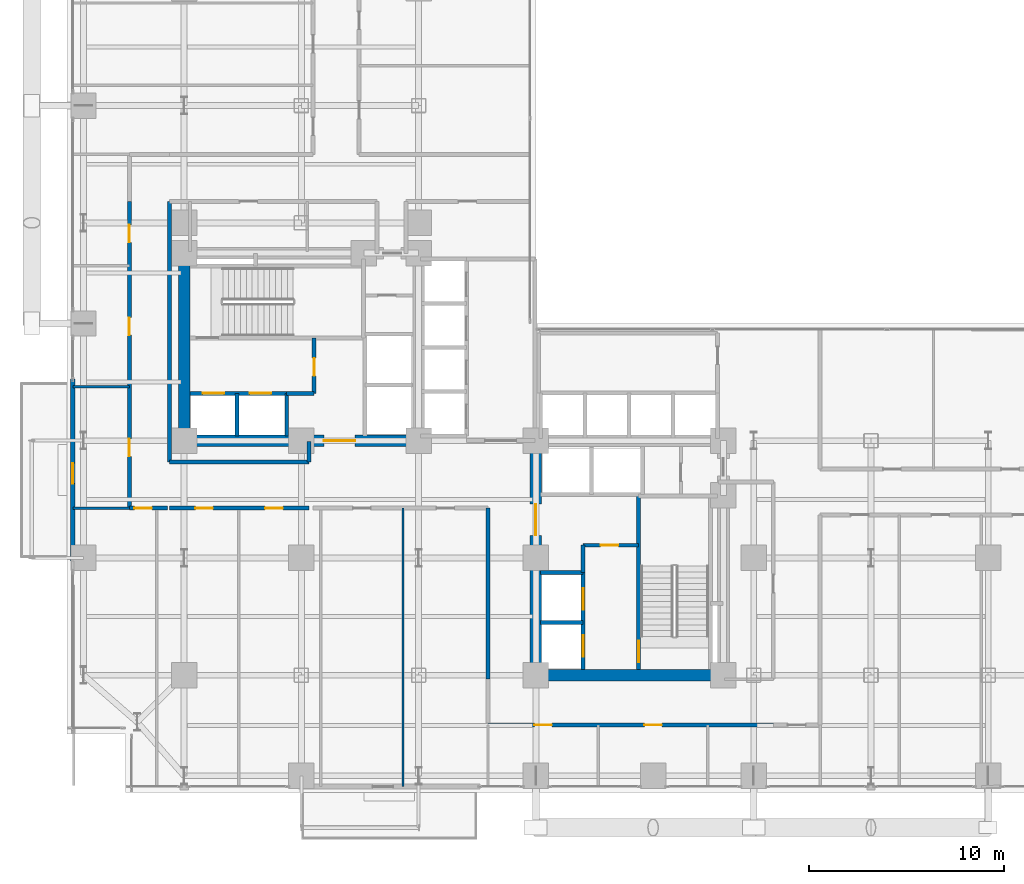
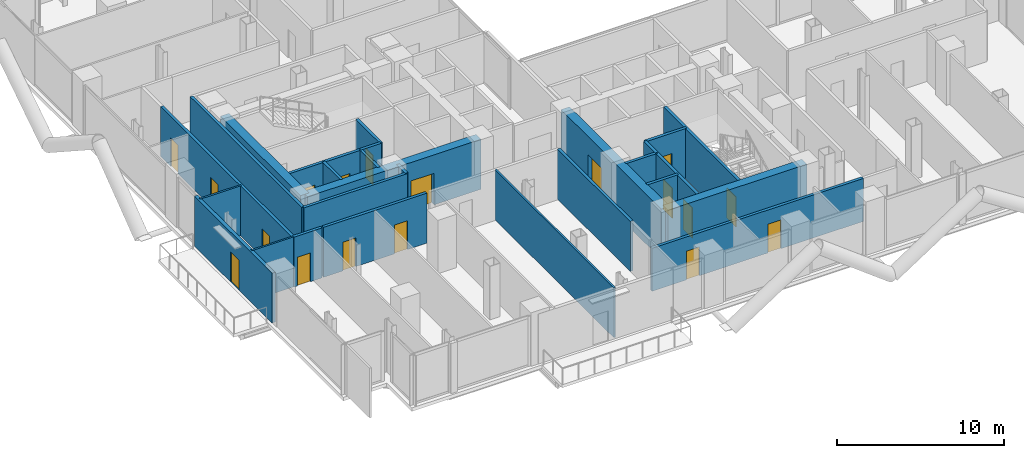
# One storey, part 20 of 25: 27 walls, 18 doors, 18 openings.
"""IFC4 building model written with IfcOpenShell, lengths in metres."""

from ifc_helpers import new_model, si_unit, direction, frame, frame_2d, origin, place, context, subcontext, project, spatial, rectangle, extrude, material, layer, layer_set, type_object, element, fill, save


model = new_model("IFC4")

# Units and contexts
model_context = context("Model", 3, precision=1e-05, world=origin(), true_north=direction((0.0, 1.0)))
body_context = subcontext(model_context, "Body", "Model", "MODEL_VIEW")
ifc_project = project(units=[si_unit("LENGTHUNIT", "METRE"), si_unit("AREAUNIT", "SQUARE_METRE"), si_unit("VOLUMEUNIT", "CUBIC_METRE"), si_unit("PLANEANGLEUNIT", "RADIAN"), si_unit("MASSUNIT", "GRAM", prefix="KILO"), si_unit("THERMODYNAMICTEMPERATUREUNIT", "KELVIN"), si_unit("POWERUNIT", "WATT")], contexts=[model_context])

# Site, building, storey
site_placement = place(None, origin())
site = spatial("IfcSite", under=ifc_project, at=site_placement, CompositionType="ELEMENT")
building_placement = place(site_placement, origin())
building = spatial("IfcBuilding", under=site, at=building_placement, Name="Svarakhadi Broadcast Tower", CompositionType="ELEMENT")
storey_placement = place(building_placement, frame((0.0, 0.0, 51.89990234375)))
storey = spatial("IfcBuildingStorey", under=building, at=storey_placement, Name="L11", CompositionType="ELEMENT", Elevation=51.89990234375)

# Wall, openings, doors
ifc_material_1 = material(Name="Double-Stud Acoustic Studio Partition STC-62", Category="gypsum")
ifc_layer_1 = layer(ifc_material_1, 0.199951171875)
ifc_layer_set_1 = layer_set([ifc_layer_1], Name="Double-Stud Acoustic Studio Partition STC-62")
wall_type_1 = type_object("IfcWallType", Name="Wall_Acoust_200", PredefinedType="PARTITIONING", material=ifc_layer_set_1)
wall_1_placement = place(storey_placement, frame((36.14990234375, 3.449951171875, 0.0), z_axis=(0.0, 0.0, 1.0), x_axis=(-1.0, 0.0, 0.0)))
wall_1 = element("IfcWall", 1, at=wall_1_placement, inside=storey, type_object=wall_type_1, Name="L11 Broadcast Corridor Wall", PredefinedType="PARTITIONING", context=body_context, shape_type="SweptSolid", body=[
    extrude(rectangle(XDim=14.599853515625, YDim=0.199951171875, at=frame_2d((7.2998046875, 0.0))), origin(), (0.0, 0.0, 1.0), 3.14208984375),
])
opening_1_placement = place(wall_1_placement, frame((11.324951171875, 0.0, 0.0)))
opening_1 = element("IfcOpeningElement", 2, at=opening_1_placement, cuts=wall_1, Name="Opening D-14", PredefinedType="OPENING", context=body_context, shape_type="SweptSolid", body=[
    extrude(rectangle(XDim=0.89990234375, YDim=2.10009765625, at=frame_2d((0.449951171875, 1.050048828125))), frame((0.0, 0.10986328125, 0.0), z_axis=(0.0, -1.0, 0.0), x_axis=(1.0, 0.0, 0.0)), (0.0, 0.0, 1.0), 0.219970703125),
])
opening_2_placement = place(wall_1_placement, frame((5.699951171875, 0.0, 0.0)))
opening_2 = element("IfcOpeningElement", 3, at=opening_2_placement, cuts=wall_1, Name="Opening D-15", PredefinedType="OPENING", context=body_context, shape_type="SweptSolid", body=[
    extrude(rectangle(XDim=0.89990234375, YDim=2.10009765625, at=frame_2d((0.449951171875, 1.050048828125))), frame((0.0, 0.10986328125, 0.0), z_axis=(0.0, -1.0, 0.0), x_axis=(1.0, 0.0, 0.0)), (0.0, 0.0, 1.0), 0.219970703125),
])
ifc_material_2 = material(Name="Solid-Core Teak Veneer Acoustic Timber Leaf", Category="wood")
door_type_1 = type_object("IfcDoorType", Name="Door_Int_D14", OperationType="SINGLE_SWING_LEFT", PredefinedType="DOOR", material=ifc_material_2)
door_1_placement = place(opening_1_placement, origin())
door_1 = element("IfcDoor", 4, at=door_1_placement, inside=storey, type_object=door_type_1, Name="L11 South Harbour Editorial Desk Door", OperationType="SINGLE_SWING_LEFT", OverallHeight=2.10009765625, OverallWidth=0.89990234375, PredefinedType="DOOR", context=body_context, shape_type="SweptSolid", body=[
    extrude(rectangle(XDim=0.89990234375, YDim=2.10009765625, at=frame_2d((0.449951171875, 1.050048828125))), frame((0.0, 0.02490234375, 0.0), z_axis=(0.0, -1.0, 0.0), x_axis=(1.0, 0.0, 0.0)), (0.0, 0.0, 1.0), 0.050048828125),
])
fill(opening_1, door_1)
door_type_2 = type_object("IfcDoorType", Name="Door_Int_D15", OperationType="SINGLE_SWING_RIGHT", PredefinedType="DOOR", material=ifc_material_2)
door_2_placement = place(opening_2_placement, origin())
door_2 = element("IfcDoor", 5, at=door_2_placement, inside=storey, type_object=door_type_2, Name="L11 Media Legal Review Office Door", OperationType="SINGLE_SWING_RIGHT", OverallHeight=2.10009765625, OverallWidth=0.89990234375, PredefinedType="DOOR", context=body_context, shape_type="SweptSolid", body=[
    extrude(rectangle(XDim=0.89990234375, YDim=2.10009765625, at=frame_2d((0.449951171875, 1.050048828125))), frame((0.0, 0.02490234375, 0.0), z_axis=(0.0, -1.0, 0.0), x_axis=(1.0, 0.0, 0.0)), (0.0, 0.0, 1.0), 0.050048828125),
])
fill(opening_2, door_2)

# Wall
wall_2_placement = place(storey_placement, frame((21.550048828125, 5.800048828125, 0.0), z_axis=(0.0, 0.0, 1.0), x_axis=(0.0, 1.0, 0.0)))
element("IfcWall", 6, at=wall_2_placement, inside=storey, type_object=wall_type_1, Name="L11 Broadcast Corridor Wall", PredefinedType="PARTITIONING", context=body_context, shape_type="SweptSolid", body=[
    extrude(rectangle(XDim=8.75, YDim=0.199951171875, at=frame_2d((4.375, 0.0))), origin(), (0.0, 0.0, 1.0), 3.650146484375),
])

# Wall, openings, doors
wall_3_placement = place(storey_placement, frame((12.39990234375, 14.550048828125, 0.0), z_axis=(0.0, 0.0, 1.0), x_axis=(-1.0, 0.0, 0.0)))
wall_3 = element("IfcWall", 7, at=wall_3_placement, inside=storey, type_object=wall_type_1, Name="L11 Broadcast Corridor Wall", PredefinedType="PARTITIONING", context=body_context, shape_type="SweptSolid", body=[
    extrude(rectangle(XDim=7.14990234375, YDim=0.199951171875, at=frame_2d((3.574951171875, 0.0))), origin(), (0.0, 0.0, 1.0), 3.650146484375),
])
opening_3_placement = place(wall_3_placement, frame((4.925048828125, 0.0, 0.0)))
opening_3 = element("IfcOpeningElement", 8, at=opening_3_placement, cuts=wall_3, Name="Opening D-14", PredefinedType="OPENING", context=body_context, shape_type="SweptSolid", body=[
    extrude(rectangle(XDim=0.89990234375, YDim=2.10009765625, at=frame_2d((0.449951171875, 1.050048828125))), frame((0.0, 0.10986328125, 0.0), z_axis=(0.0, -1.0, 0.0), x_axis=(1.0, 0.0, 0.0)), (0.0, 0.0, 1.0), 0.219970703125),
])
opening_4_placement = place(wall_3_placement, frame((1.35009765625, 0.0, 0.0)))
opening_4 = element("IfcOpeningElement", 9, at=opening_4_placement, cuts=wall_3, Name="Opening D-15", PredefinedType="OPENING", context=body_context, shape_type="SweptSolid", body=[
    extrude(rectangle(XDim=0.89990234375, YDim=2.10009765625, at=frame_2d((0.449951171875, 1.050048828125))), frame((0.0, 0.10986328125, 0.0), z_axis=(0.0, -1.0, 0.0), x_axis=(1.0, 0.0, 0.0)), (0.0, 0.0, 1.0), 0.219970703125),
])
door_3_placement = place(opening_3_placement, origin())
door_3 = element("IfcDoor", 10, at=door_3_placement, inside=storey, type_object=door_type_1, Name="L11 Video Edit Pod 2 Door", OperationType="SINGLE_SWING_LEFT", OverallHeight=2.10009765625, OverallWidth=0.89990234375, PredefinedType="DOOR", context=body_context, shape_type="SweptSolid", body=[
    extrude(rectangle(XDim=0.89990234375, YDim=2.10009765625, at=frame_2d((0.449951171875, 1.050048828125))), frame((0.0, 0.02490234375, 0.0), z_axis=(0.0, -1.0, 0.0), x_axis=(1.0, 0.0, 0.0)), (0.0, 0.0, 1.0), 0.050048828125),
])
fill(opening_3, door_3)
door_4_placement = place(opening_4_placement, origin())
door_4 = element("IfcDoor", 11, at=door_4_placement, inside=storey, type_object=door_type_2, Name="L11 Audio Mix Room Door", OperationType="SINGLE_SWING_RIGHT", OverallHeight=2.10009765625, OverallWidth=0.89990234375, PredefinedType="DOOR", context=body_context, shape_type="SweptSolid", body=[
    extrude(rectangle(XDim=0.89990234375, YDim=2.10009765625, at=frame_2d((0.449951171875, 1.050048828125))), frame((0.0, 0.02490234375, 0.0), z_axis=(0.0, -1.0, 0.0), x_axis=(1.0, 0.0, 0.0)), (0.0, 0.0, 1.0), 0.050048828125),
])
fill(opening_4, door_4)

# Wall, opening, door
wall_4_placement = place(storey_placement, frame((5.14990234375, 14.550048828125, 0.0), z_axis=(0.0, 0.0, 1.0), x_axis=(-1.0, 0.0, 0.0)))
wall_4 = element("IfcWall", 12, at=wall_4_placement, inside=storey, type_object=wall_type_1, Name="L11 Broadcast Corridor Wall", PredefinedType="PARTITIONING", context=body_context, shape_type="SweptSolid", body=[
    extrude(rectangle(XDim=1.949951171875, YDim=0.199951171875, at=frame_2d((0.97509765625, 0.0))), origin(), (0.0, 0.0, 1.0), 3.650146484375),
])
opening_5_placement = place(wall_4_placement, frame((0.800048828125, 0.0, 0.0)))
opening_5 = element("IfcOpeningElement", 13, at=opening_5_placement, cuts=wall_4, Name="Opening D-14", PredefinedType="OPENING", context=body_context, shape_type="SweptSolid", body=[
    extrude(rectangle(XDim=0.89990234375, YDim=2.10009765625, at=frame_2d((0.449951171875, 1.050048828125))), frame((0.0, 0.10986328125, 0.0), z_axis=(0.0, -1.0, 0.0), x_axis=(1.0, 0.0, 0.0)), (0.0, 0.0, 1.0), 0.219970703125),
])
door_5_placement = place(opening_5_placement, origin())
door_5 = element("IfcDoor", 14, at=door_5_placement, inside=storey, type_object=door_type_1, Name="L11 Video Edit Pod 1 Door", OperationType="SINGLE_SWING_LEFT", OverallHeight=2.10009765625, OverallWidth=0.89990234375, PredefinedType="DOOR", context=body_context, shape_type="SweptSolid", body=[
    extrude(rectangle(XDim=0.89990234375, YDim=2.10009765625, at=frame_2d((0.449951171875, 1.050048828125))), frame((0.0, 0.02490234375, 0.0), z_axis=(0.0, -1.0, 0.0), x_axis=(1.0, 0.0, 0.0)), (0.0, 0.0, 1.0), 0.050048828125),
])
fill(opening_5, door_5)

# Wall, openings, doors
wall_5_placement = place(storey_placement, frame((3.199951171875, 14.550048828125, 0.0), z_axis=(0.0, 0.0, 1.0), x_axis=(0.0, 1.0, 0.0)))
wall_5 = element("IfcWall", 15, at=wall_5_placement, inside=storey, type_object=wall_type_1, Name="L11 Broadcast Corridor Wall", PredefinedType="PARTITIONING", context=body_context, shape_type="SweptSolid", body=[
    extrude(rectangle(XDim=15.699951171875, YDim=0.199951171875, at=frame_2d((7.85009765625, 0.0))), origin(), (0.0, 0.0, 1.0), 3.650146484375),
])
opening_6_placement = place(wall_5_placement, frame((2.64990234375, 0.0, 0.0)))
opening_6 = element("IfcOpeningElement", 16, at=opening_6_placement, cuts=wall_5, Name="Opening D-15", PredefinedType="OPENING", context=body_context, shape_type="SweptSolid", body=[
    extrude(rectangle(XDim=0.89990234375, YDim=2.10009765625, at=frame_2d((0.449951171875, 1.050048828125))), frame((0.0, 0.10986328125, 0.0), z_axis=(0.0, -1.0, 0.0), x_axis=(1.0, 0.0, 0.0)), (0.0, 0.0, 1.0), 0.219970703125),
])
opening_7_placement = place(wall_5_placement, frame((8.85009765625, 0.0, 0.0)))
opening_7 = element("IfcOpeningElement", 17, at=opening_7_placement, cuts=wall_5, Name="Opening D-14", PredefinedType="OPENING", context=body_context, shape_type="SweptSolid", body=[
    extrude(rectangle(XDim=0.89990234375, YDim=2.10009765625, at=frame_2d((0.449951171875, 1.050048828125))), frame((0.0, 0.10986328125, 0.0), z_axis=(0.0, -1.0, 0.0), x_axis=(1.0, 0.0, 0.0)), (0.0, 0.0, 1.0), 0.219970703125),
])
opening_8_placement = place(wall_5_placement, frame((13.60009765625, 0.0, 0.0)))
opening_8 = element("IfcOpeningElement", 18, at=opening_8_placement, cuts=wall_5, Name="Opening D-15", PredefinedType="OPENING", context=body_context, shape_type="SweptSolid", body=[
    extrude(rectangle(XDim=0.89990234375, YDim=2.10009765625, at=frame_2d((0.449951171875, 1.050048828125))), frame((0.0, 0.10986328125, 0.0), z_axis=(0.0, -1.0, 0.0), x_axis=(1.0, 0.0, 0.0)), (0.0, 0.0, 1.0), 0.219970703125),
])
door_6_placement = place(opening_7_placement, origin())
door_6 = element("IfcDoor", 19, at=door_6_placement, inside=storey, type_object=door_type_1, Name="L11 Live Translation Studio Door", OperationType="SINGLE_SWING_LEFT", OverallHeight=2.10009765625, OverallWidth=0.89990234375, PredefinedType="DOOR", context=body_context, shape_type="SweptSolid", body=[
    extrude(rectangle(XDim=0.89990234375, YDim=2.10009765625, at=frame_2d((0.449951171875, 1.050048828125))), frame((0.0, 0.02490234375, 0.0), z_axis=(0.0, -1.0, 0.0), x_axis=(1.0, 0.0, 0.0)), (0.0, 0.0, 1.0), 0.050048828125),
])
fill(opening_7, door_6)
door_7_placement = place(opening_6_placement, origin())
door_7 = element("IfcDoor", 20, at=door_7_placement, inside=storey, type_object=door_type_2, Name="L11 Arabian Sea Commentary Booth Door", OperationType="SINGLE_SWING_RIGHT", OverallHeight=2.10009765625, OverallWidth=0.89990234375, PredefinedType="DOOR", context=body_context, shape_type="SweptSolid", body=[
    extrude(rectangle(XDim=0.89990234375, YDim=2.10009765625, at=frame_2d((0.449951171875, 1.050048828125))), frame((0.0, 0.02490234375, 0.0), z_axis=(0.0, -1.0, 0.0), x_axis=(1.0, 0.0, 0.0)), (0.0, 0.0, 1.0), 0.050048828125),
])
fill(opening_6, door_7)
door_8_placement = place(opening_8_placement, origin())
door_8 = element("IfcDoor", 21, at=door_8_placement, inside=storey, type_object=door_type_2, Name="L11 Producer Quiet Lounge Door", OperationType="SINGLE_SWING_RIGHT", OverallHeight=2.10009765625, OverallWidth=0.89990234375, PredefinedType="DOOR", context=body_context, shape_type="SweptSolid", body=[
    extrude(rectangle(XDim=0.89990234375, YDim=2.10009765625, at=frame_2d((0.449951171875, 1.050048828125))), frame((0.0, 0.02490234375, 0.0), z_axis=(0.0, -1.0, 0.0), x_axis=(1.0, 0.0, 0.0)), (0.0, 0.0, 1.0), 0.050048828125),
])
fill(opening_8, door_8)

# Walls
wall_6_placement = place(storey_placement, frame((5.25, 30.25, 0.0), z_axis=(0.0, 0.0, 1.0), x_axis=(0.0, -1.0, 0.0)))
element("IfcWall", 22, at=wall_6_placement, inside=storey, type_object=wall_type_1, Name="L11 Broadcast Corridor Wall", PredefinedType="PARTITIONING", context=body_context, shape_type="SweptSolid", body=[
    extrude(rectangle(XDim=13.35009765625, YDim=0.199951171875, at=frame_2d((6.675048828125, 0.0))), origin(), (0.0, 0.0, 1.0), 3.650146484375),
])
wall_7_placement = place(storey_placement, frame((5.25, 16.89990234375, 0.0), z_axis=(0.0, 0.0, 1.0), x_axis=(1.0, 0.0, 0.0)))
element("IfcWall", 23, at=wall_7_placement, inside=storey, type_object=wall_type_1, Name="L11 Broadcast Corridor Wall", PredefinedType="PARTITIONING", context=body_context, shape_type="SweptSolid", body=[
    extrude(rectangle(XDim=7.14990234375, YDim=0.199951171875, at=frame_2d((3.574951171875, 0.0))), origin(), (0.0, 0.0, 1.0), 3.650146484375),
])
wall_8_placement = place(storey_placement, frame((12.39990234375, 16.89990234375, 0.0), z_axis=(0.0, 0.0, 1.0), x_axis=(0.0, 1.0, 0.0)))
element("IfcWall", 24, at=wall_8_placement, inside=storey, type_object=wall_type_1, Name="L11 Broadcast Corridor Wall", PredefinedType="PARTITIONING", context=body_context, shape_type="SweptSolid", body=[
    extrude(rectangle(XDim=1.050048828125, YDim=0.199951171875, at=frame_2d((0.52490234375, 0.0))), origin(), (0.0, 0.0, 1.0), 3.650146484375),
])

# Wall, opening, door
ifc_material_3 = material(Name="Concrete C40/50 (IS 456 M50)", Category="concrete")
ifc_layer_2 = layer(ifc_material_3, 0.239990234375)
ifc_layer_set_2 = layer_set([ifc_layer_2], Name="Concrete C40/50 (IS 456 M50)")
wall_type_2 = type_object("IfcWallType", Name="Wall_Ext_240", PredefinedType="SOLIDWALL", material=ifc_layer_set_2)
wall_9_placement = place(storey_placement, frame((0.300048828125, 11.85498046875, 0.0), z_axis=(0.0, 0.0, 1.0), x_axis=(0.0, 1.0, 0.0)))
wall_9 = element("IfcWall", 25, at=wall_9_placement, inside=storey, type_object=wall_type_2, Name="L11 West Tree Balcony Spandrel Wall", PredefinedType="SOLIDWALL", context=body_context, shape_type="SweptSolid", body=[
    extrude(rectangle(XDim=9.2900390625, YDim=0.239990234375, at=frame_2d((4.64501953125, 0.0))), origin(), (0.0, 0.0, 1.0), 3.650146484375),
])
opening_9_placement = place(wall_9_placement, frame((3.945068359375, 0.0, 0.0)))
opening_9 = element("IfcOpeningElement", 26, at=opening_9_placement, cuts=wall_9, Name="Opening ED-06", PredefinedType="OPENING", context=body_context, shape_type="SweptSolid", body=[
    extrude(rectangle(XDim=1.050048828125, YDim=2.199951171875, at=frame_2d((0.52490234375, 1.10009765625))), frame((0.0, 0.1298828125, 0.0), z_axis=(0.0, -1.0, 0.0), x_axis=(1.0, 0.0, 0.0)), (0.0, 0.0, 1.0), 0.260009765625),
])
ifc_material_4 = material(Name="Anodised Bronze Aluminium AA 6063-T6", Category="aluminium")
door_type_3 = type_object("IfcDoorType", Name="Door_Ext_ED06", OperationType="SINGLE_SWING_RIGHT", PredefinedType="DOOR", material=ifc_material_4)
door_9_placement = place(opening_9_placement, origin())
door_9 = element("IfcDoor", 27, at=door_9_placement, inside=storey, type_object=door_type_3, Name="L11 West Tree Balcony Door", OperationType="SINGLE_SWING_RIGHT", OverallHeight=2.199951171875, OverallWidth=1.050048828125, PredefinedType="DOOR", context=body_context, shape_type="SweptSolid", body=[
    extrude(rectangle(XDim=1.050048828125, YDim=2.199951171875, at=frame_2d((0.52490234375, 1.10009765625))), frame((0.0, 0.02490234375, 0.0), z_axis=(0.0, -1.0, 0.0), x_axis=(1.0, 0.0, 0.0)), (0.0, 0.0, 1.0), 0.050048828125),
])
fill(opening_9, door_9)

# Walls
ifc_material_5 = material(Name="Fire-Rated Moisture-Resistant Gypsum Board Partition", Category="gypsum")
ifc_layer_3 = layer(ifc_material_5, 0.125)
ifc_layer_set_3 = layer_set([ifc_layer_3], Name="Fire-Rated Moisture-Resistant Gypsum Board Partition")
wall_type_3 = type_object("IfcWallType", Name="Wall_Part_125", PredefinedType="PARTITIONING", material=ifc_layer_set_3)
wall_10_placement = place(storey_placement, frame((17.199951171875, 0.300048828125, 0.0), z_axis=(0.0, 0.0, 1.0), x_axis=(0.0, 1.0, 0.0)))
element("IfcWall", 28, at=wall_10_placement, inside=storey, type_object=wall_type_3, Name="L11 VFX Grading Pod Wall", PredefinedType="PARTITIONING", context=body_context, shape_type="SweptSolid", body=[
    extrude(rectangle(XDim=14.25, YDim=0.125, at=frame_2d((7.125, 0.0))), origin(), (0.0, 0.0, 1.0), 3.650146484375),
])
for number, where, z_axis, x_axis, name in (
    (29, (0.300048828125, 14.550048828125, 0.0), (0.0, 0.0, 1.0), (1.0, 0.0, 0.0), "L11 Arabian Sea Commentary Booth Wall"),
    (30, (0.300048828125, 20.75, 0.0), (0.0, 0.0, 1.0), (1.0, 0.0, 0.0), "L11 Arabian Sea Commentary Booth Wall"),
):
    element("IfcWall", number, at=place(storey_placement, frame(where, z_axis=z_axis, x_axis=x_axis)), inside=storey, type_object=wall_type_3, Name=name, PredefinedType="PARTITIONING", context=body_context, shape_type="SweptSolid", body=[
        extrude(rectangle(XDim=2.89990234375, YDim=0.125, at=frame_2d((1.449951171875, 0.0))), origin(), (0.0, 0.0, 1.0), 3.650146484375),
    ])

# Wall, opening, door
ifc_material_6 = material(Name="Concrete C50/60 (IS 456 M60)", Category="concrete")
ifc_layer_4 = layer(ifc_material_6, 0.199951171875)
ifc_layer_set_4 = layer_set([ifc_layer_4], Name="Concrete C50/60 (IS 456 M60)")
wall_type_4 = type_object("IfcWallType", Name="Wall_Shear_200", PredefinedType="SHEAR", material=ifc_layer_set_4)
wall_11_placement = place(storey_placement, frame((29.260009765625, 6.300048828125, 0.0), z_axis=(0.0, 0.0, 1.0), x_axis=(0.0, 1.0, 0.0)))
wall_11 = element("IfcWall", 31, at=wall_11_placement, inside=storey, type_object=wall_type_4, Name="L11 Stair ST-02 West RC Shaft Wall", PredefinedType="SHEAR", context=body_context, shape_type="SweptSolid", body=[
    extrude(rectangle(XDim=8.8798828125, YDim=0.199951171875, at=frame_2d((4.43994140625, 0.0))), origin(), (0.0, 0.0, 1.0), 3.650146484375),
])
opening_10_placement = place(wall_11_placement, frame((0.35009765625, 0.0, 0.0)))
opening_10 = element("IfcOpeningElement", 32, at=opening_10_placement, cuts=wall_11, Name="Opening D-02", PredefinedType="OPENING", context=body_context, shape_type="SweptSolid", body=[
    extrude(rectangle(XDim=1.10009765625, YDim=2.199951171875, at=frame_2d((0.550048828125, 1.10009765625))), frame((0.0, 0.10986328125, 0.0), z_axis=(0.0, -1.0, 0.0), x_axis=(1.0, 0.0, 0.0)), (0.0, 0.0, 1.0), 0.219970703125),
])
ifc_material_7 = material(Name="Galvanised Powder-Coated Fire-Rated Steel Leaf", Category="steel")
door_type_4 = type_object("IfcDoorType", Name="Door_Stair_D02", OperationType="SINGLE_SWING_RIGHT", PredefinedType="DOOR", material=ifc_material_7)
door_10_placement = place(opening_10_placement, origin())
door_10 = element("IfcDoor", 33, at=door_10_placement, inside=storey, type_object=door_type_4, Name="L11 Protected Exit Stair ST-02 Fire Door", OperationType="SINGLE_SWING_RIGHT", OverallHeight=2.199951171875, OverallWidth=1.10009765625, PredefinedType="DOOR", context=body_context, shape_type="SweptSolid", body=[
    extrude(rectangle(XDim=1.10009765625, YDim=2.199951171875, at=frame_2d((0.550048828125, 1.10009765625))), frame((0.0, 0.02490234375, 0.0), z_axis=(0.0, -1.0, 0.0), x_axis=(1.0, 0.0, 0.0)), (0.0, 0.0, 1.0), 0.050048828125),
])
fill(opening_10, door_10)

# Wall, openings, doors
wall_12_placement = place(storey_placement, frame((6.300048828125, 20.419921875, 0.0), z_axis=(0.0, 0.0, 1.0), x_axis=(1.0, 0.0, 0.0)))
wall_12 = element("IfcWall", 34, at=wall_12_placement, inside=storey, type_object=wall_type_4, Name="L11 Firefighting Lift LF-01/02 Shaft Wall", PredefinedType="SHEAR", context=body_context, shape_type="SweptSolid", body=[
    extrude(rectangle(XDim=4.949951171875, YDim=0.199951171875, at=frame_2d((2.47509765625, 0.0))), origin(), (0.0, 0.0, 1.0), 3.650146484375),
])
opening_11_placement = place(wall_12_placement, frame((0.64990234375, 0.0, 0.0)))
opening_11 = element("IfcOpeningElement", 35, at=opening_11_placement, cuts=wall_12, Name="Opening LD-01", PredefinedType="OPENING", context=body_context, shape_type="SweptSolid", body=[
    extrude(rectangle(XDim=1.10009765625, YDim=2.199951171875, at=frame_2d((0.550048828125, 1.10009765625))), frame((0.0, 0.10986328125, 0.0), z_axis=(0.0, -1.0, 0.0), x_axis=(1.0, 0.0, 0.0)), (0.0, 0.0, 1.0), 0.219970703125),
])
opening_12_placement = place(wall_12_placement, frame((3.050048828125, 0.0, 0.0)))
opening_12 = element("IfcOpeningElement", 36, at=opening_12_placement, cuts=wall_12, Name="Opening LD-01", PredefinedType="OPENING", context=body_context, shape_type="SweptSolid", body=[
    extrude(rectangle(XDim=1.10009765625, YDim=2.199951171875, at=frame_2d((0.550048828125, 1.10009765625))), frame((0.0, 0.10986328125, 0.0), z_axis=(0.0, -1.0, 0.0), x_axis=(1.0, 0.0, 0.0)), (0.0, 0.0, 1.0), 0.219970703125),
])
door_type_5 = type_object("IfcDoorType", Name="Door_Lift_LD01", OperationType="SLIDING_TO_LEFT", PredefinedType="DOOR", material=ifc_material_7)
door_11_placement = place(opening_11_placement, origin())
door_11 = element("IfcDoor", 37, at=door_11_placement, inside=storey, type_object=door_type_5, Name="L11 Firefighting Lift LF-01 Landing Door", OperationType="SLIDING_TO_LEFT", OverallHeight=2.199951171875, OverallWidth=1.10009765625, PredefinedType="DOOR", context=body_context, shape_type="SweptSolid", body=[
    extrude(rectangle(XDim=1.10009765625, YDim=2.199951171875, at=frame_2d((0.550048828125, 1.10009765625))), frame((0.0, 0.02490234375, 0.0), z_axis=(0.0, -1.0, 0.0), x_axis=(1.0, 0.0, 0.0)), (0.0, 0.0, 1.0), 0.050048828125),
])
fill(opening_11, door_11)
door_12_placement = place(opening_12_placement, origin())
door_12 = element("IfcDoor", 38, at=door_12_placement, inside=storey, type_object=door_type_5, Name="L11 Firefighting Lift LF-02 Landing Door", OperationType="SLIDING_TO_LEFT", OverallHeight=2.199951171875, OverallWidth=1.10009765625, PredefinedType="DOOR", context=body_context, shape_type="SweptSolid", body=[
    extrude(rectangle(XDim=1.10009765625, YDim=2.199951171875, at=frame_2d((0.550048828125, 1.10009765625))), frame((0.0, 0.02490234375, 0.0), z_axis=(0.0, -1.0, 0.0), x_axis=(1.0, 0.0, 0.0)), (0.0, 0.0, 1.0), 0.050048828125),
])
fill(opening_12, door_12)

# Walls
for number, where, z_axis, x_axis, name in (
    (39, (8.699951171875, 18.25, 0.0), (0.0, 0.0, 1.0), (0.0, 1.0, 0.0), "L11 Firefighting Lift LF-01/02 Divider Wall"),
    (40, (11.25, 18.25, 0.0), (0.0, 0.0, 1.0), (0.0, 1.0, 0.0), "L11 Firefighting Lift LF-02 East Wall"),
):
    element("IfcWall", number, at=place(storey_placement, frame(where, z_axis=z_axis, x_axis=x_axis)), inside=storey, type_object=wall_type_4, Name=name, PredefinedType="SHEAR", context=body_context, shape_type="SweptSolid", body=[
        extrude(rectangle(XDim=2.169921875, YDim=0.199951171875, at=frame_2d((1.0849609375, 0.0))), origin(), (0.0, 0.0, 1.0), 3.650146484375),
    ])
wall_13_placement = place(storey_placement, frame((11.25, 20.419921875, 0.0), z_axis=(0.0, 0.0, 1.0), x_axis=(1.0, 0.0, 0.0)))
element("IfcWall", 41, at=wall_13_placement, inside=storey, type_object=wall_type_4, Name="L11 West Firefighting Lobby South Wall", PredefinedType="SHEAR", context=body_context, shape_type="SweptSolid", body=[
    extrude(rectangle(XDim=1.39990234375, YDim=0.199951171875, at=frame_2d((0.699951171875, 0.0))), origin(), (0.0, 0.0, 1.0), 3.650146484375),
])

# Wall, opening, door
wall_14_placement = place(storey_placement, frame((12.64990234375, 20.419921875, 0.0), z_axis=(0.0, 0.0, 1.0), x_axis=(0.0, 1.0, 0.0)))
wall_14 = element("IfcWall", 42, at=wall_14_placement, inside=storey, type_object=wall_type_4, Name="L11 West Firefighting Lobby East Wall", PredefinedType="SHEAR", context=body_context, shape_type="SweptSolid", body=[
    extrude(rectangle(XDim=2.840087890625, YDim=0.199951171875, at=frame_2d((1.419921875, 0.0))), origin(), (0.0, 0.0, 1.0), 3.650146484375),
])
opening_13_placement = place(wall_14_placement, frame((0.89990234375, 0.0, 0.0)))
opening_13 = element("IfcOpeningElement", 43, at=opening_13_placement, cuts=wall_14, Name="Opening D-04", PredefinedType="OPENING", context=body_context, shape_type="SweptSolid", body=[
    extrude(rectangle(XDim=0.89990234375, YDim=2.14990234375, at=frame_2d((0.449951171875, 1.074951171875))), frame((0.0, 0.10986328125, 0.0), z_axis=(0.0, -1.0, 0.0), x_axis=(1.0, 0.0, 0.0)), (0.0, 0.0, 1.0), 0.219970703125),
])
door_type_6 = type_object("IfcDoorType", Name="Door_Fire_D04", OperationType="SINGLE_SWING_RIGHT", PredefinedType="DOOR", material=ifc_material_7)
door_13_placement = place(opening_13_placement, origin())
door_13 = element("IfcDoor", 44, at=door_13_placement, inside=storey, type_object=door_type_6, Name="L11 West Firefighting Lobby Fire Door", OperationType="SINGLE_SWING_RIGHT", OverallHeight=2.14990234375, OverallWidth=0.89990234375, PredefinedType="DOOR", context=body_context, shape_type="SweptSolid", body=[
    extrude(rectangle(XDim=0.89990234375, YDim=2.14990234375, at=frame_2d((0.449951171875, 1.074951171875))), frame((0.0, 0.02490234375, 0.0), z_axis=(0.0, -1.0, 0.0), x_axis=(1.0, 0.0, 0.0)), (0.0, 0.0, 1.0), 0.050048828125),
])
fill(opening_13, door_13)

# Wall, openings, doors
wall_15_placement = place(storey_placement, frame((26.419921875, 6.300048828125, 0.0), z_axis=(0.0, 0.0, 1.0), x_axis=(0.0, 1.0, 0.0)))
wall_15 = element("IfcWall", 45, at=wall_15_placement, inside=storey, type_object=wall_type_4, Name="L11 Firefighting Lift LF-03/04 Shaft Wall", PredefinedType="SHEAR", context=body_context, shape_type="SweptSolid", body=[
    extrude(rectangle(XDim=4.949951171875, YDim=0.199951171875, at=frame_2d((2.47509765625, 0.0))), origin(), (0.0, 0.0, 1.0), 3.650146484375),
])
opening_14_placement = place(wall_15_placement, frame((0.64990234375, 0.0, 0.0)))
opening_14 = element("IfcOpeningElement", 46, at=opening_14_placement, cuts=wall_15, Name="Opening LD-01", PredefinedType="OPENING", context=body_context, shape_type="SweptSolid", body=[
    extrude(rectangle(XDim=1.10009765625, YDim=2.199951171875, at=frame_2d((0.550048828125, 1.10009765625))), frame((0.0, 0.10986328125, 0.0), z_axis=(0.0, -1.0, 0.0), x_axis=(1.0, 0.0, 0.0)), (0.0, 0.0, 1.0), 0.219970703125),
])
opening_15_placement = place(wall_15_placement, frame((3.050048828125, 0.0, 0.0)))
opening_15 = element("IfcOpeningElement", 47, at=opening_15_placement, cuts=wall_15, Name="Opening LD-01", PredefinedType="OPENING", context=body_context, shape_type="SweptSolid", body=[
    extrude(rectangle(XDim=1.10009765625, YDim=2.199951171875, at=frame_2d((0.550048828125, 1.10009765625))), frame((0.0, 0.10986328125, 0.0), z_axis=(0.0, -1.0, 0.0), x_axis=(1.0, 0.0, 0.0)), (0.0, 0.0, 1.0), 0.219970703125),
])
door_14_placement = place(opening_14_placement, origin())
door_14 = element("IfcDoor", 48, at=door_14_placement, inside=storey, type_object=door_type_5, Name="L11 Firefighting Lift LF-03 Landing Door", OperationType="SLIDING_TO_LEFT", OverallHeight=2.199951171875, OverallWidth=1.10009765625, PredefinedType="DOOR", context=body_context, shape_type="SweptSolid", body=[
    extrude(rectangle(XDim=1.10009765625, YDim=2.199951171875, at=frame_2d((0.550048828125, 1.10009765625))), frame((0.0, 0.02490234375, 0.0), z_axis=(0.0, -1.0, 0.0), x_axis=(1.0, 0.0, 0.0)), (0.0, 0.0, 1.0), 0.050048828125),
])
fill(opening_14, door_14)
door_15_placement = place(opening_15_placement, origin())
door_15 = element("IfcDoor", 49, at=door_15_placement, inside=storey, type_object=door_type_5, Name="L11 Firefighting Lift LF-04 Landing Door", OperationType="SLIDING_TO_LEFT", OverallHeight=2.199951171875, OverallWidth=1.10009765625, PredefinedType="DOOR", context=body_context, shape_type="SweptSolid", body=[
    extrude(rectangle(XDim=1.10009765625, YDim=2.199951171875, at=frame_2d((0.550048828125, 1.10009765625))), frame((0.0, 0.02490234375, 0.0), z_axis=(0.0, -1.0, 0.0), x_axis=(1.0, 0.0, 0.0)), (0.0, 0.0, 1.0), 0.050048828125),
])
fill(opening_15, door_15)

# Walls
for number, where, z_axis, x_axis, name in (
    (50, (24.25, 8.699951171875, 0.0), (0.0, 0.0, 1.0), (1.0, 0.0, 0.0), "L11 Firefighting Lift LF-03/04 Divider Wall"),
    (51, (24.25, 11.25, 0.0), (0.0, 0.0, 1.0), (1.0, 0.0, 0.0), "L11 Firefighting Lift LF-04 North Wall"),
):
    element("IfcWall", number, at=place(storey_placement, frame(where, z_axis=z_axis, x_axis=x_axis)), inside=storey, type_object=wall_type_4, Name=name, PredefinedType="SHEAR", context=body_context, shape_type="SweptSolid", body=[
        extrude(rectangle(XDim=2.169921875, YDim=0.199951171875, at=frame_2d((1.0849609375, 0.0))), origin(), (0.0, 0.0, 1.0), 3.650146484375),
    ])
wall_16_placement = place(storey_placement, frame((26.419921875, 11.25, 0.0), z_axis=(0.0, 0.0, 1.0), x_axis=(0.0, 1.0, 0.0)))
element("IfcWall", 52, at=wall_16_placement, inside=storey, type_object=wall_type_4, Name="L11 East Firefighting Lobby West Wall", PredefinedType="SHEAR", context=body_context, shape_type="SweptSolid", body=[
    extrude(rectangle(XDim=1.39990234375, YDim=0.199951171875, at=frame_2d((0.699951171875, 0.0))), origin(), (0.0, 0.0, 1.0), 3.650146484375),
])

# Wall, opening, door
wall_17_placement = place(storey_placement, frame((26.419921875, 12.64990234375, 0.0), z_axis=(0.0, 0.0, 1.0), x_axis=(1.0, 0.0, 0.0)))
wall_17 = element("IfcWall", 53, at=wall_17_placement, inside=storey, type_object=wall_type_4, Name="L11 East Firefighting Lobby North Wall", PredefinedType="SHEAR", context=body_context, shape_type="SweptSolid", body=[
    extrude(rectangle(XDim=2.840087890625, YDim=0.199951171875, at=frame_2d((1.419921875, 0.0))), origin(), (0.0, 0.0, 1.0), 3.650146484375),
])
opening_16_placement = place(wall_17_placement, frame((0.89990234375, 0.0, 0.0)))
opening_16 = element("IfcOpeningElement", 54, at=opening_16_placement, cuts=wall_17, Name="Opening D-03", PredefinedType="OPENING", context=body_context, shape_type="SweptSolid", body=[
    extrude(rectangle(XDim=0.89990234375, YDim=2.14990234375, at=frame_2d((0.449951171875, 1.074951171875))), frame((0.0, 0.10986328125, 0.0), z_axis=(0.0, -1.0, 0.0), x_axis=(1.0, 0.0, 0.0)), (0.0, 0.0, 1.0), 0.219970703125),
])
door_type_7 = type_object("IfcDoorType", Name="Door_Fire_D03", OperationType="SINGLE_SWING_LEFT", PredefinedType="DOOR", material=ifc_material_7)
door_16_placement = place(opening_16_placement, origin())
door_16 = element("IfcDoor", 55, at=door_16_placement, inside=storey, type_object=door_type_7, Name="L11 East Firefighting Lobby Fire Door", OperationType="SINGLE_SWING_LEFT", OverallHeight=2.14990234375, OverallWidth=0.89990234375, PredefinedType="DOOR", context=body_context, shape_type="SweptSolid", body=[
    extrude(rectangle(XDim=0.89990234375, YDim=2.14990234375, at=frame_2d((0.449951171875, 1.074951171875))), frame((0.0, 0.02490234375, 0.0), z_axis=(0.0, -1.0, 0.0), x_axis=(1.0, 0.0, 0.0)), (0.0, 0.0, 1.0), 0.050048828125),
])
fill(opening_16, door_16)

ifc_material_8 = material(Name="Concrete C60/75 (IS 456 M70)", Category="concrete")
ifc_layer_5 = layer(ifc_material_8, 0.60009765625)
ifc_layer_set_5 = layer_set([ifc_layer_5], Name="Concrete C60/75 (IS 456 M70)")
wall_type_5 = type_object("IfcWallType", Name="Wall_Shear_600", PredefinedType="SHEAR", material=ifc_layer_set_5)
wall_18_placement = place(storey_placement, frame((6.0, 18.0, 0.0), z_axis=(0.0, 0.0, 1.0), x_axis=(1.0, 0.0, 0.0)))
wall_18 = element("IfcWall", 56, at=wall_18_placement, inside=storey, type_object=wall_type_5, Name="L11 West Core South Shear Wall", PredefinedType="SHEAR", context=body_context, shape_type="SweptSolid", body=[
    extrude(rectangle(XDim=12.0, YDim=0.60009765625, at=frame_2d((6.0, 0.0))), origin(), (0.0, 0.0, 1.0), 3.650146484375),
])
opening_17_placement = place(wall_18_placement, frame((7.14990234375, 0.0, 0.0)))
opening_17 = element("IfcOpeningElement", 57, at=opening_17_placement, cuts=wall_18, Name="Opening D-05", PredefinedType="OPENING", context=body_context, shape_type="SweptSolid", body=[
    extrude(rectangle(XDim=1.60009765625, YDim=2.300048828125, at=frame_2d((0.800048828125, 1.14990234375))), frame((0.0, 0.31005859375, 0.0), z_axis=(0.0, -1.0, 0.0), x_axis=(1.0, 0.0, 0.0)), (0.0, 0.0, 1.0), 0.6201171875),
])
door_type_8 = type_object("IfcDoorType", Name="Door_Lobby_D05", OperationType="DOUBLE_DOOR_SLIDING", PredefinedType="DOOR", material=ifc_material_4)
door_17_placement = place(opening_17_placement, origin())
door_17 = element("IfcDoor", 58, at=door_17_placement, inside=storey, type_object=door_type_8, Name="L11 West Core Passenger Lift Lobby Entrance Door", OperationType="DOUBLE_DOOR_SLIDING", OverallHeight=2.300048828125, OverallWidth=1.60009765625, PredefinedType="DOOR", context=body_context, shape_type="SweptSolid", body=[
    extrude(rectangle(XDim=1.60009765625, YDim=2.300048828125, at=frame_2d((0.800048828125, 1.14990234375))), frame((0.0, 0.02490234375, 0.0), z_axis=(0.0, -1.0, 0.0), x_axis=(1.0, 0.0, 0.0)), (0.0, 0.0, 1.0), 0.050048828125),
])
fill(opening_17, door_17)

# Walls
for number, where, z_axis, x_axis, name in (
    (59, (6.0, 18.0, 0.0), (0.0, 0.0, 1.0), (0.0, 1.0, 0.0), "L11 West Core West Shear Wall"),
    (60, (24.0, 6.0, 0.0), (0.0, 0.0, 1.0), (1.0, 0.0, 0.0), "L11 East Core South Shear Wall"),
):
    element("IfcWall", number, at=place(storey_placement, frame(where, z_axis=z_axis, x_axis=x_axis)), inside=storey, type_object=wall_type_5, Name=name, PredefinedType="SHEAR", context=body_context, shape_type="SweptSolid", body=[
        extrude(rectangle(XDim=9.60009765625, YDim=0.60009765625, at=frame_2d((4.800048828125, 0.0))), origin(), (0.0, 0.0, 1.0), 3.650146484375),
    ])

# Wall, opening, door
wall_19_placement = place(storey_placement, frame((24.0, 6.0, 0.0), z_axis=(0.0, 0.0, 1.0), x_axis=(0.0, 1.0, 0.0)))
wall_19 = element("IfcWall", 61, at=wall_19_placement, inside=storey, type_object=wall_type_5, Name="L11 East Core West Shear Wall", PredefinedType="SHEAR", context=body_context, shape_type="SweptSolid", body=[
    extrude(rectangle(XDim=12.0, YDim=0.60009765625, at=frame_2d((6.0, 0.0))), origin(), (0.0, 0.0, 1.0), 3.650146484375),
])
opening_18_placement = place(wall_19_placement, frame((7.14990234375, 0.0, 0.0)))
opening_18 = element("IfcOpeningElement", 62, at=opening_18_placement, cuts=wall_19, Name="Opening D-05", PredefinedType="OPENING", context=body_context, shape_type="SweptSolid", body=[
    extrude(rectangle(XDim=1.60009765625, YDim=2.300048828125, at=frame_2d((0.800048828125, 1.14990234375))), frame((0.0, 0.31005859375, 0.0), z_axis=(0.0, -1.0, 0.0), x_axis=(1.0, 0.0, 0.0)), (0.0, 0.0, 1.0), 0.6201171875),
])
door_18_placement = place(opening_18_placement, origin())
door_18 = element("IfcDoor", 63, at=door_18_placement, inside=storey, type_object=door_type_8, Name="L11 East Core Passenger Lift Lobby Entrance Door", OperationType="DOUBLE_DOOR_SLIDING", OverallHeight=2.300048828125, OverallWidth=1.60009765625, PredefinedType="DOOR", context=body_context, shape_type="SweptSolid", body=[
    extrude(rectangle(XDim=1.60009765625, YDim=2.300048828125, at=frame_2d((0.800048828125, 1.14990234375))), frame((0.0, 0.02490234375, 0.0), z_axis=(0.0, -1.0, 0.0), x_axis=(1.0, 0.0, 0.0)), (0.0, 0.0, 1.0), 0.050048828125),
])
fill(opening_18, door_18)

save(model, "model.ifc")
